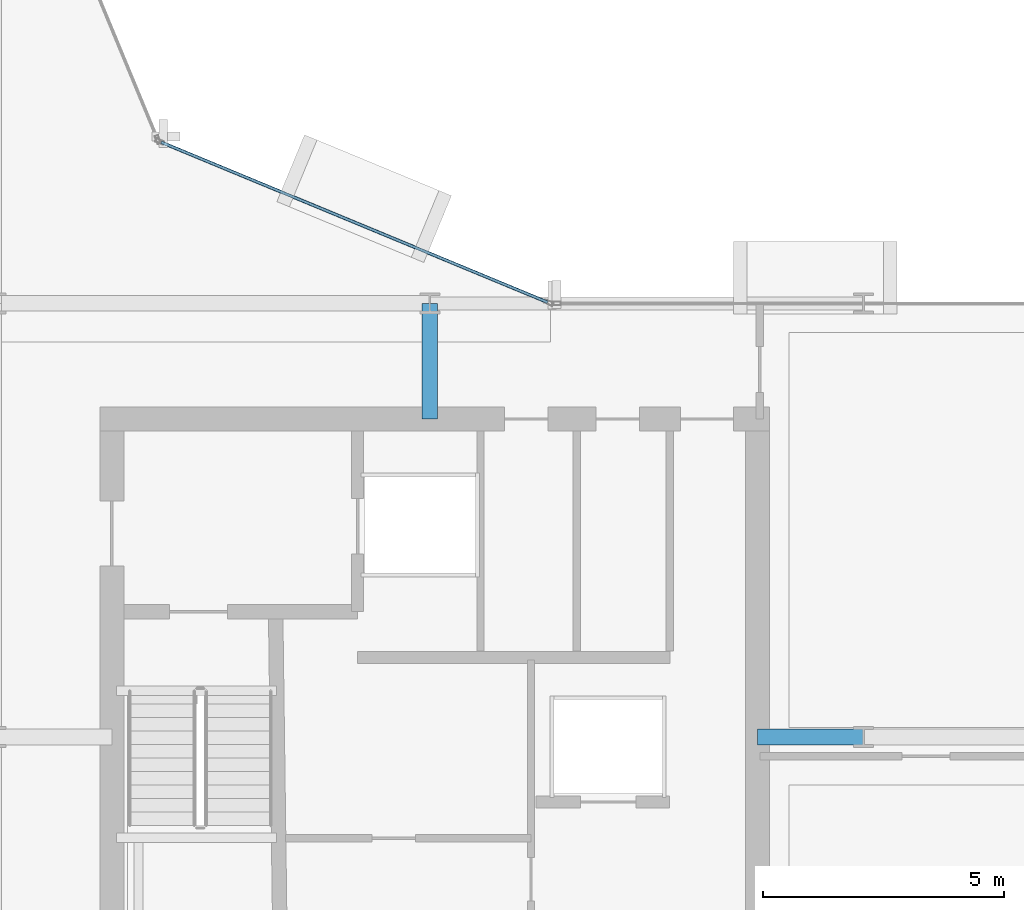
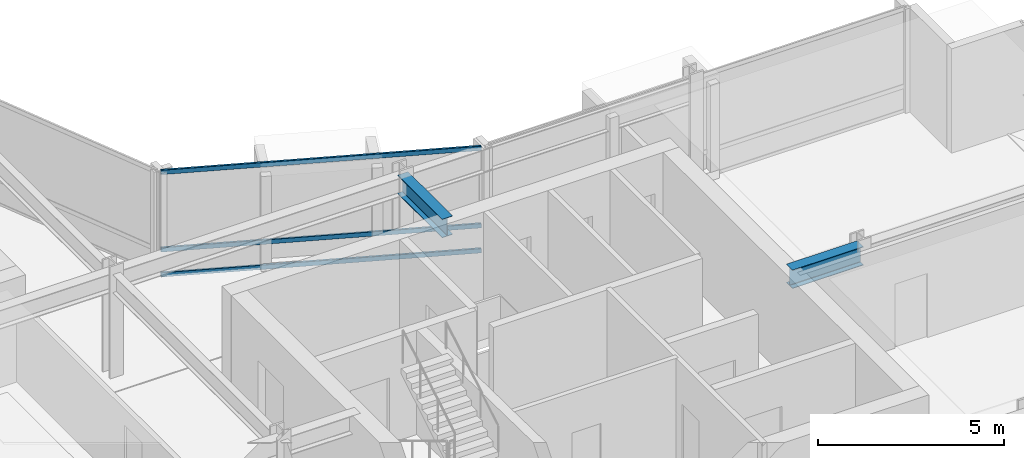
# One storey, part 12 of 28: 3 members, 2 beams, 1 element without a shape of its own.
"""IFC4 building model written with IfcOpenShell, lengths in metres."""

from ifc_helpers import new_model, si_unit, direction, frame, origin, origin_2d, place, context, subcontext, project, spatial, hollow_rectangle, i_section, extrude, material, layer, layer_set, material_profile, profile_set, type_object, element, aggregate, save


model = new_model("IFC4")

# Units and contexts
model_context = context("Model", 3, precision=1e-05, world=origin(), true_north=direction((0.0, 1.0)))
body_context = subcontext(model_context, "Body", "Model", "MODEL_VIEW")
ifc_project = project(units=[si_unit("LENGTHUNIT", "METRE"), si_unit("AREAUNIT", "SQUARE_METRE"), si_unit("VOLUMEUNIT", "CUBIC_METRE"), si_unit("PLANEANGLEUNIT", "RADIAN"), si_unit("MASSUNIT", "GRAM", prefix="KILO")], contexts=[model_context])

# Site, building, storey
site_placement = place(None, origin())
site = spatial("IfcSite", under=ifc_project, at=site_placement, CompositionType="ELEMENT")
building_placement = place(site_placement, origin())
building = spatial("IfcBuilding", under=site, at=building_placement, Name="Solvaryn Broadcast Tower", CompositionType="ELEMENT")
storey_placement = place(building_placement, frame((0.0, 0.0, 158.10009765625)))
storey = spatial("IfcBuildingStorey", under=building, at=storey_placement, Name="L39", CompositionType="ELEMENT", Elevation=158.10009765625)

# Beams
ifc_material_1 = material(Name="Steel ASTM A992 Grade 50", Category="steel")
ifc_material_profile_1 = material_profile(ifc_material_1, i_section(OverallWidth=0.323974609375, OverallDepth=0.611083984375, WebThickness=0.0126953125, FlangeThickness=0.01904296875, FilletRadius=0.014892578125, at=origin_2d()))
ifc_profile_set_1 = profile_set([ifc_material_profile_1], Name="Steel ASTM A992 Grade 50")
beam_type = type_object("IfcBeamType", Name="BM-B1-W24X104", PredefinedType="BEAM", material=ifc_profile_set_1)
beam_1_placement = place(storey_placement, frame((36.0, 24.60009765625, 3.114501953125), z_axis=(0.0, 1.0, 0.0), x_axis=(-1.0, 0.0, 0.0)))
element("IfcBeam", 1, at=beam_1_placement, inside=storey, type_object=beam_type, Name="L39 Core Tie Beam CTE2", PredefinedType="BEAM", context=body_context, shape_type="SweptSolid", body=[
    extrude(i_section(OverallWidth=0.323974609375, OverallDepth=0.611083984375, WebThickness=0.0126953125, FlangeThickness=0.01904296875, FilletRadius=0.014892578125, at=origin_2d()), origin(), (0.0, 0.0, 1.0), 2.39990234375),
])
beam_2_placement = place(storey_placement, frame((42.800048828125, 18.0, 3.114501953125), z_axis=(1.0, 0.0, 0.0), x_axis=(0.0, 1.0, 0.0)))
element("IfcBeam", 2, at=beam_2_placement, inside=storey, type_object=beam_type, Name="L39 Core Tie Beam CTE3", PredefinedType="BEAM", context=body_context, shape_type="SweptSolid", body=[
    extrude(i_section(OverallWidth=0.323974609375, OverallDepth=0.611083984375, WebThickness=0.0126953125, FlangeThickness=0.01904296875, FilletRadius=0.014892578125, at=origin_2d()), origin(), (0.0, 0.0, 1.0), 2.199951171875),
])

# Curtain wall, members
ifc_material_2 = material(Name="Aluminium and Terracotta Unitised Curtain Wall", Category="masonry")
ifc_layer = layer(ifc_material_2, 0.199951171875)
ifc_layer_set = layer_set([ifc_layer], Name="CW-SYS2-LOWMID")
curtain_wall_type = type_object("IfcCurtainWallType", Name="CW-SYS2-LOWMID", PredefinedType="NOTDEFINED", material=ifc_layer_set)
curtain_wall_placement = place(storey_placement, origin())
curtain_wall = element("IfcCurtainWall", 3, at=curtain_wall_placement, inside=storey, type_object=curtain_wall_type, Name="L39 Curtain Wall CN1", PredefinedType="NOTDEFINED")
ifc_material_3 = material(Name="Anodised Aluminium 6063-T6", Category="aluminium")
ifc_material_profile_2 = material_profile(ifc_material_3, hollow_rectangle(XDim=0.06494140625, YDim=0.14990234375, WallThickness=0.00390625, InnerFilletRadius=0.00390625, OuterFilletRadius=0.008056640625, at=origin_2d()))
ifc_profile_set_2 = profile_set([ifc_material_profile_2], Name="Anodised Aluminium 6063-T6")
member_type = type_object("IfcMemberType", Name="CW-TRN-150", PredefinedType="USERDEFINED", material=ifc_profile_set_2)
member_1_placement = place(storey_placement, frame((38.444580078125, 27.02294921875, 0.02978515625), z_axis=(-0.923899282177, 0.382635748975, 0.0), x_axis=(-0.382635748975, -0.923899282177, 0.0)))
member_1 = element("IfcMember", 4, at=member_1_placement, type_object=member_type, Name="CWS2 transom 1.1", ObjectType="TRANSOM", PredefinedType="USERDEFINED", context=body_context, shape_type="SweptSolid", body=[
    extrude(hollow_rectangle(XDim=0.06494140625, YDim=0.14990234375, WallThickness=0.00390625, InnerFilletRadius=0.00390625, OuterFilletRadius=0.008056640625, at=origin_2d()), origin(), (0.0, 0.0, 1.0), 8.681884765625),
])
member_2_placement = place(storey_placement, frame((38.444580078125, 27.02294921875, 0.849853515625), z_axis=(-0.923899282177, 0.382635748975, 0.0), x_axis=(-0.382635748975, -0.923899282177, 0.0)))
member_2 = element("IfcMember", 5, at=member_2_placement, type_object=member_type, Name="CWS2 transom 1.2", ObjectType="TRANSOM", PredefinedType="USERDEFINED", context=body_context, shape_type="SweptSolid", body=[
    extrude(hollow_rectangle(XDim=0.06494140625, YDim=0.14990234375, WallThickness=0.00390625, InnerFilletRadius=0.00390625, OuterFilletRadius=0.008056640625, at=origin_2d()), origin(), (0.0, 0.0, 1.0), 8.681884765625),
])
member_3_placement = place(storey_placement, frame((38.444580078125, 27.02294921875, 3.389892578125), z_axis=(-0.923899282177, 0.382635748975, 0.0), x_axis=(-0.382635748975, -0.923899282177, 0.0)))
member_3 = element("IfcMember", 6, at=member_3_placement, type_object=member_type, Name="CWS2 transom 1.3", ObjectType="TRANSOM", PredefinedType="USERDEFINED", context=body_context, shape_type="SweptSolid", body=[
    extrude(hollow_rectangle(XDim=0.06494140625, YDim=0.14990234375, WallThickness=0.00390625, InnerFilletRadius=0.00390625, OuterFilletRadius=0.008056640625, at=origin_2d()), origin(), (0.0, 0.0, 1.0), 8.681884765625),
])
aggregate(curtain_wall, [member_1, member_2, member_3])

save(model, "model.ifc")
